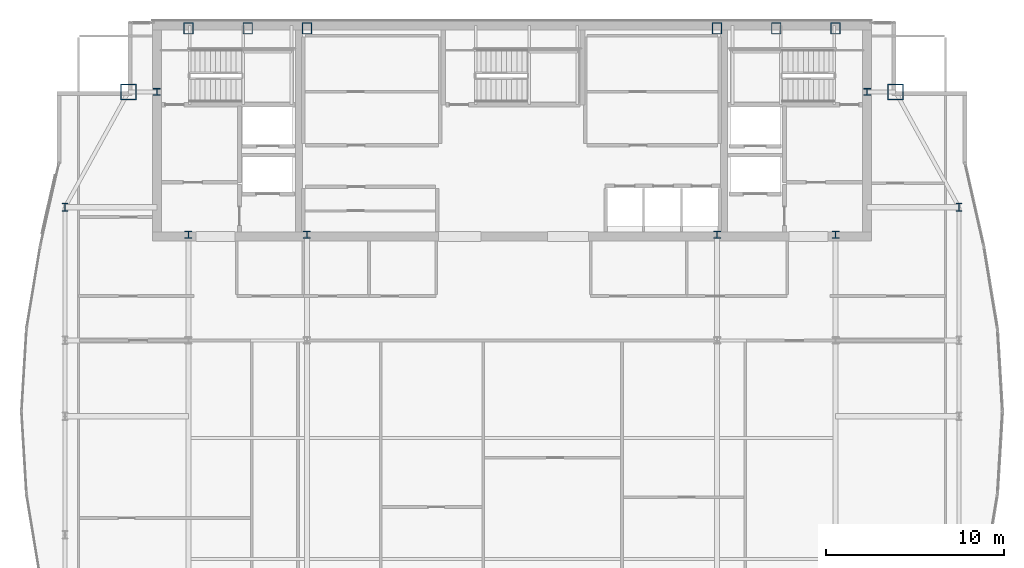
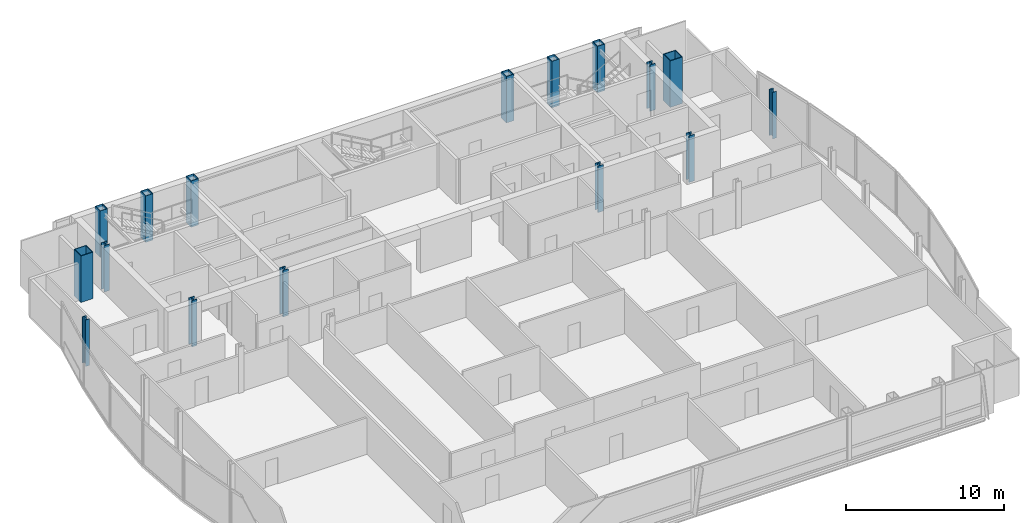
# One storey, part 3 of 29: 16 columns.
"""IFC4 building model written with IfcOpenShell, lengths in metres."""

from ifc_helpers import new_model, si_unit, direction, frame, origin, origin_2d, place, context, subcontext, project, spatial, hollow_rectangle, i_section, extrude, material, material_profile, profile_set, type_object, element, save


model = new_model("IFC4")

# Units and contexts
model_context = context("Model", 3, precision=1e-05, world=origin(), true_north=direction((0.0, 1.0)))
body_context = subcontext(model_context, "Body", "Model", "MODEL_VIEW")
ifc_project = project(units=[si_unit("LENGTHUNIT", "METRE"), si_unit("AREAUNIT", "SQUARE_METRE"), si_unit("VOLUMEUNIT", "CUBIC_METRE"), si_unit("PLANEANGLEUNIT", "RADIAN"), si_unit("MASSUNIT", "GRAM", prefix="KILO")], contexts=[model_context])

# Site, building, storey
site_placement = place(None, origin())
site = spatial("IfcSite", under=ifc_project, at=site_placement, CompositionType="ELEMENT")
building_placement = place(site_placement, origin())
building = spatial("IfcBuilding", under=site, at=building_placement, Name="Khoronbel Lancet Exchange", CompositionType="ELEMENT")
storey_placement = place(building_placement, frame((0.0, 0.0, 318.199951171875)))
storey = spatial("IfcBuildingStorey", under=building, at=storey_placement, Name="L82", CompositionType="ELEMENT", Elevation=318.199951171875)

# Columns
ifc_material_1 = material(Name="Steel S460", Category="steel")
ifc_material_profile_1 = material_profile(ifc_material_1, hollow_rectangle(XDim=0.550048828125, YDim=0.64990234375, WallThickness=0.0400390625, at=origin_2d()), Name="BOX 650x550x40")
ifc_profile_set_1 = profile_set([ifc_material_profile_1], Name="Steel S460")
column_type_1 = type_object("IfcColumnType", Name="COL-EC4", PredefinedType="COLUMN", material=ifc_profile_set_1)
for number, where, z_axis, x_axis, name in (
    (1, (18.22509765625, 53.280029296875, 0.0), (0.0, 0.0, 1.0), (1.0, 0.0, 0.0), "Structural column NC-W1 L82"),
    (2, (21.5625, 53.280029296875, 0.0), (0.0, 0.0, 1.0), (1.0, 0.0, 0.0), "Structural column NC-WM L82"),
    (3, (24.89990234375, 53.280029296875, 0.0), (0.0, 0.0, 1.0), (1.0, 0.0, 0.0), "Structural column NC-W2 L82"),
    (4, (48.0, 53.280029296875, 0.0), (0.0, 0.0, 1.0), (1.0, 0.0, 0.0), "Structural column NC-E1 L82"),
    (5, (51.33740234375, 53.280029296875, 0.0), (0.0, 0.0, 1.0), (1.0, 0.0, 0.0), "Structural column NC-EM L82"),
    (6, (54.675048828125, 53.280029296875, 0.0), (0.0, 0.0, 1.0), (1.0, 0.0, 0.0), "Structural column NC-E2 L82"),
):
    element("IfcColumn", number, at=place(storey_placement, frame(where, z_axis=z_axis, x_axis=x_axis)), inside=storey, type_object=column_type_1, Name=name, PredefinedType="COLUMN", context=body_context, shape_type="SweptSolid", body=[
        extrude(hollow_rectangle(XDim=0.550048828125, YDim=0.64990234375, WallThickness=0.0400390625, at=origin_2d()), origin(), (0.0, 0.0, 1.0), 3.60009765625),
    ])
ifc_material_2 = material(Name="Steel S355", Category="steel")
ifc_material_profile_2 = material_profile(ifc_material_2, i_section(OverallWidth=0.39892578125, OverallDepth=0.39306640625, WebThickness=0.022705078125, FlangeThickness=0.03662109375, at=origin_2d()), Name="HD 400x287")
ifc_profile_set_2 = profile_set([ifc_material_profile_2], Name="Steel S355")
column_type_2 = type_object("IfcColumnType", Name="COL-IC4", PredefinedType="COLUMN", material=ifc_profile_set_2)
for number, where, z_axis, x_axis, name in (
    (7, (16.449951171875, 49.699951171875, 0.0), (0.0, 0.0, 1.0), (1.0, 0.0, 0.0), "Core-flank plumb transfer column CFW L82"),
    (8, (56.449951171875, 49.699951171875, 0.0), (0.0, 0.0, 1.0), (1.0, 0.0, 0.0), "Core-flank plumb transfer column CFE L82"),
    (9, (18.22509765625, 41.64990234375, 0.0), (0.0, 0.0, 1.0), (1.0, 0.0, 0.0), "Core-embedded steel column CTC1 L82"),
    (10, (24.89990234375, 41.64990234375, 0.0), (0.0, 0.0, 1.0), (1.0, 0.0, 0.0), "Core-embedded steel column CTC2 L82"),
    (11, (48.0, 41.64990234375, 0.0), (0.0, 0.0, 1.0), (1.0, 0.0, 0.0), "Core-embedded steel column CTC3 L82"),
    (12, (54.675048828125, 41.64990234375, 0.0), (0.0, 0.0, 1.0), (1.0, 0.0, 0.0), "Core-embedded steel column CTC4 L82"),
):
    element("IfcColumn", number, at=place(storey_placement, frame(where, z_axis=z_axis, x_axis=x_axis)), inside=storey, type_object=column_type_2, Name=name, PredefinedType="COLUMN", context=body_context, shape_type="SweptSolid", body=[
        extrude(i_section(OverallWidth=0.39892578125, OverallDepth=0.39306640625, WebThickness=0.022705078125, FlangeThickness=0.03662109375, at=origin_2d()), origin(), (0.0, 0.0, 1.0), 3.60009765625),
    ])
ifc_material_profile_3 = material_profile(ifc_material_2, i_section(OverallWidth=0.300048828125, OverallDepth=0.449951171875, WebThickness=0.013916015625, FlangeThickness=0.02587890625, at=origin_2d()), Name="HEB 450")
ifc_profile_set_3 = profile_set([ifc_material_profile_3], Name="Steel S355")
column_type_3 = type_object("IfcColumnType", Name="COL-LC2", PredefinedType="COLUMN", material=ifc_profile_set_3)
for number, where, z_axis, x_axis, name in (
    (13, (11.27001953125, 43.199951171875, 0.0), (0.0, 0.0, 1.0), (1.0, 0.0, 0.0), "Structural column WC-4 L82"),
    (14, (61.6298828125, 43.199951171875, 0.0), (0.0, 0.0, 1.0), (1.0, 0.0, 0.0), "Structural column EC-4 L82"),
):
    element("IfcColumn", number, at=place(storey_placement, frame(where, z_axis=z_axis, x_axis=x_axis)), inside=storey, type_object=column_type_3, Name=name, PredefinedType="COLUMN", context=body_context, shape_type="SweptSolid", body=[
        extrude(i_section(OverallWidth=0.300048828125, OverallDepth=0.449951171875, WebThickness=0.013916015625, FlangeThickness=0.02587890625, at=origin_2d()), origin(), (0.0, 0.0, 1.0), 3.60009765625),
    ])
ifc_material_profile_4 = material_profile(ifc_material_1, hollow_rectangle(XDim=0.89990234375, YDim=0.89990234375, WallThickness=0.050048828125, at=origin_2d()), Name="BOX 900x900x50")
ifc_profile_set_4 = profile_set([ifc_material_profile_4], Name="Steel S460")
column_type_4 = type_object("IfcColumnType", Name="COL-MC7", PredefinedType="COLUMN", material=ifc_profile_set_4)
for number, where, z_axis, x_axis, name in (
    (15, (58.050048828125, 49.699951171875, 0.0), (0.0, 0.0, 1.0), (1.0, 0.0, 0.0), "Structural column MC-NE L82"),
    (16, (14.85009765625, 49.699951171875, 0.0), (0.0, 0.0, 1.0), (1.0, 0.0, 0.0), "Structural column MC-NW L82"),
):
    element("IfcColumn", number, at=place(storey_placement, frame(where, z_axis=z_axis, x_axis=x_axis)), inside=storey, type_object=column_type_4, Name=name, PredefinedType="COLUMN", context=body_context, shape_type="SweptSolid", body=[
        extrude(hollow_rectangle(XDim=0.89990234375, YDim=0.89990234375, WallThickness=0.050048828125, at=origin_2d()), origin(), (0.0, 0.0, 1.0), 3.60009765625),
    ])

save(model, "model.ifc")
